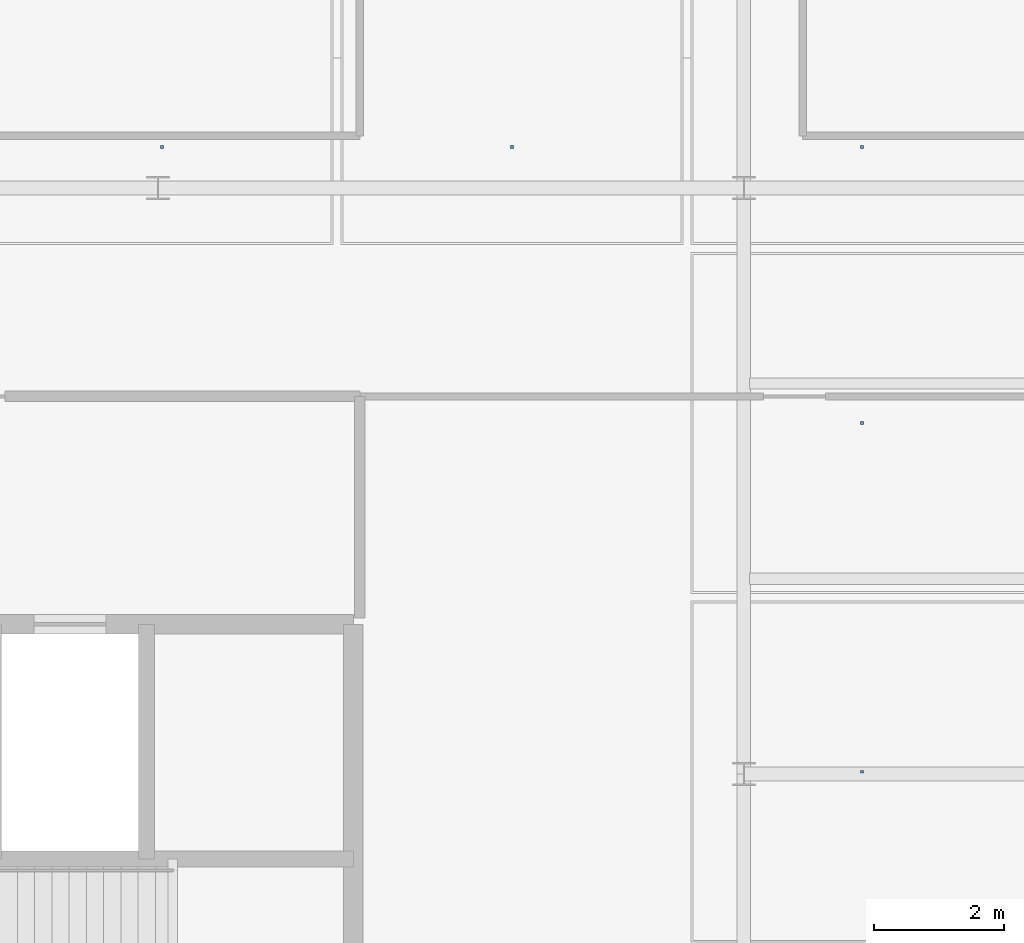
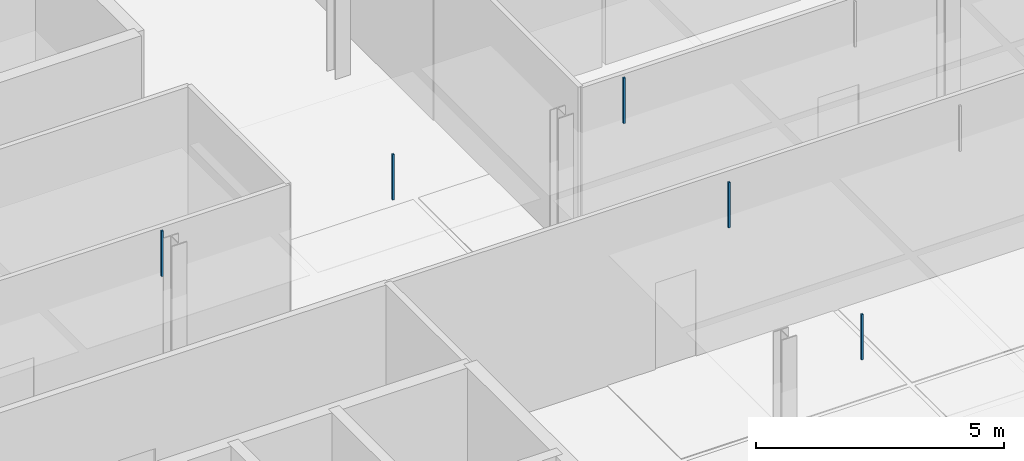
# One storey, part 116 of 140: 5 discrete accessories.
"""IFC4 building model written with IfcOpenShell, lengths in metres."""

from ifc_helpers import new_model, si_unit, direction, frame, origin, origin_2d, place, context, subcontext, project, spatial, rectangle, extrude, material, type_object, element, save


model = new_model("IFC4")

# Units and contexts
model_context = context("Model", 3, precision=1e-05, world=origin(), true_north=direction((0.0, 1.0)))
body_context = subcontext(model_context, "Body", "Model", "MODEL_VIEW")
ifc_project = project(units=[si_unit("LENGTHUNIT", "METRE"), si_unit("AREAUNIT", "SQUARE_METRE"), si_unit("VOLUMEUNIT", "CUBIC_METRE"), si_unit("PLANEANGLEUNIT", "RADIAN"), si_unit("MASSUNIT", "GRAM", prefix="KILO"), si_unit("THERMODYNAMICTEMPERATUREUNIT", "KELVIN"), si_unit("POWERUNIT", "WATT")], contexts=[model_context])

# Site, building, storey
site_placement = place(None, origin())
site = spatial("IfcSite", under=ifc_project, at=site_placement, CompositionType="ELEMENT")
building_placement = place(site_placement, origin())
building = spatial("IfcBuilding", under=site, at=building_placement, Name="Tallowbark Science Centre", CompositionType="ELEMENT")
storey_placement = place(building_placement, frame((0.0, 0.0, 9.89990234375)))
storey = spatial("IfcBuildingStorey", under=building, at=storey_placement, Name="L02", CompositionType="ELEMENT", Elevation=9.89990234375)

# Discrete accessories
ifc_material = material(Name="Galvanised Steel Grade C350L0 (350 MPa)", Category="steel")
discrete_accessory_type = type_object("IfcDiscreteAccessoryType", Name="ACC-CLG-HNG", PredefinedType="BRACKET", material=ifc_material)
for number, where, z_axis, x_axis, name in (
    (1, (121.5625, 90.630615234375, 3.2060546875), (0.0, 0.0, 1.0), (1.0, 0.0, 0.0), "Ceiling Hanger Bracket L02-913"),
    (2, (126.9375, 90.630615234375, 3.2060546875), (0.0, 0.0, 1.0), (1.0, 0.0, 0.0), "Ceiling Hanger Bracket L02-915"),
    (3, (132.3125, 81.03564453125, 3.2060546875), (0.0, 0.0, 1.0), (1.0, 0.0, 0.0), "Ceiling Hanger Bracket L02-918"),
    (4, (132.3125, 86.392822265625, 3.2060546875), (0.0, 0.0, 1.0), (1.0, 0.0, 0.0), "Ceiling Hanger Bracket L02-919"),
    (5, (132.3125, 90.630615234375, 3.2060546875), (0.0, 0.0, 1.0), (1.0, 0.0, 0.0), "Ceiling Hanger Bracket L02-920"),
):
    element("IfcDiscreteAccessory", number, at=place(storey_placement, frame(where, z_axis=z_axis, x_axis=x_axis)), inside=storey, type_object=discrete_accessory_type, Name=name, PredefinedType="BRACKET", context=body_context, shape_type="SweptSolid", body=[
        extrude(rectangle(XDim=0.044921875, YDim=0.044921875, at=origin_2d()), origin(), (0.0, 0.0, 1.0), 1.116943359375),
    ])

save(model, "model.ifc")
